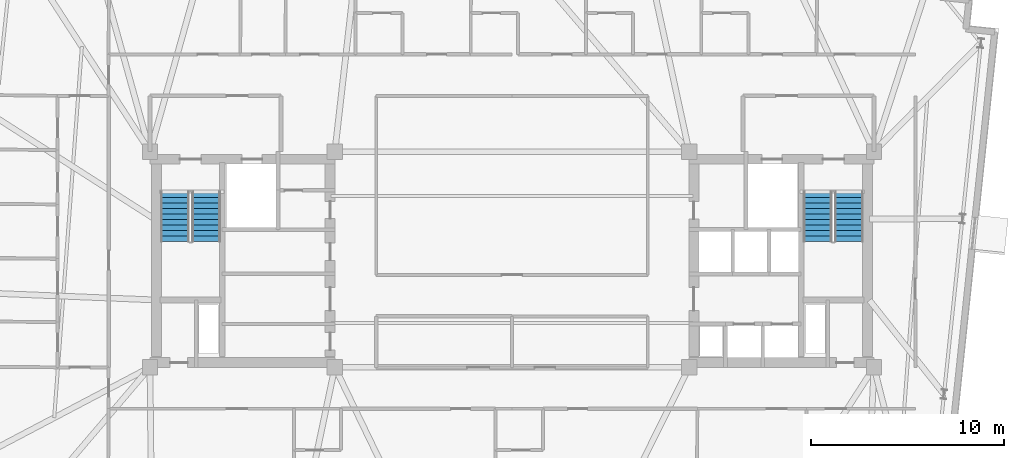
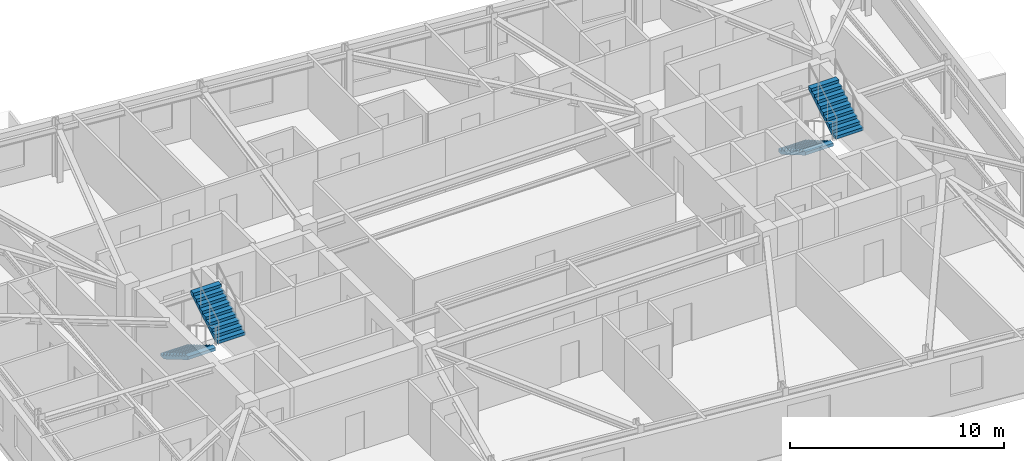
# One storey, part 10 of 12: 4 stair flights, 2 elements without a shape of their own.
"""IFC4 building model written with IfcOpenShell, lengths in metres."""

from ifc_helpers import new_model, si_unit, direction, frame, origin, place, context, subcontext, project, spatial, polyline, outline, extrude, material, type_object, element, aggregate, save


model = new_model("IFC4")

# Units and contexts
model_context = context("Model", 3, precision=1e-05, world=origin(), true_north=direction((0.0, 1.0)))
body_context = subcontext(model_context, "Body", "Model", "MODEL_VIEW")
ifc_project = project(units=[si_unit("LENGTHUNIT", "METRE"), si_unit("AREAUNIT", "SQUARE_METRE"), si_unit("VOLUMEUNIT", "CUBIC_METRE"), si_unit("PLANEANGLEUNIT", "RADIAN"), si_unit("MASSUNIT", "GRAM", prefix="KILO")], contexts=[model_context])

# Site, building, storey
site_placement = place(None, origin())
site = spatial("IfcSite", under=ifc_project, at=site_placement, CompositionType="ELEMENT")
building_placement = place(site_placement, origin())
building = spatial("IfcBuilding", under=site, at=building_placement, Name="Qobustan Lattice House", CompositionType="ELEMENT")
storey_placement = place(building_placement, frame((0.0, 0.0, 189.699951171875)))
storey = spatial("IfcBuildingStorey", under=building, at=storey_placement, Name="L53", CompositionType="ELEMENT", Elevation=189.699951171875)

# Stair, stair flights
ifc_material_1 = material(Name="Concrete C40/50", Category="concrete")
stair_type = type_object("IfcStairType", Name="STR-CORE-DOGLEG", PredefinedType="HALF_TURN_STAIR", material=ifc_material_1)
stair_1_placement = place(storey_placement, origin())
stair_1 = element("IfcStair", 1, at=stair_1_placement, inside=storey, type_object=stair_type, Name="L53 West protected exit stair ST-W1", PredefinedType="HALF_TURN_STAIR")
ifc_material_2 = material(Name="Concrete C40/50", Category="concrete")
stair_flight_type = type_object("IfcStairFlightType", Name="SFL-RC-1500", PredefinedType="STRAIGHT", material=ifc_material_2)
stair_flight_1_placement = place(storey_placement, frame((-17.5, 3.5, 0.0), z_axis=(0.0, 0.0, 1.0), x_axis=(0.0, -1.0, 0.0)))
stair_flight_1 = element("IfcStairFlight", 2, at=stair_flight_1_placement, type_object=stair_flight_type, Name="ST-W1 flight 1", NumberOfRisers=10, NumberOfTreads=9, PredefinedType="STRAIGHT", RiserHeight=0.1675, TreadLength=0.285, context=body_context, shape_type="SweptSolid", body=[
    extrude(outline(polyline([(0.0, 0.0), (0.0, 0.16748046875), (0.284912109375, 0.16748046875), (0.284912109375, 0.3349609375), (0.570068359375, 0.3349609375), (0.570068359375, 0.50244140625), (0.85498046875, 0.50244140625), (0.85498046875, 0.669921875), (1.139892578125, 0.669921875), (1.139892578125, 0.83740234375), (1.425048828125, 0.83740234375), (1.425048828125, 1.0048828125), (1.7099609375, 1.0048828125), (1.7099609375, 1.172607421875), (1.9951171875, 1.172607421875), (1.9951171875, 1.340087890625), (2.280029296875, 1.340087890625), (2.280029296875, 1.507568359375), (2.56494140625, 1.507568359375), (2.56494140625, 1.675048828125), (2.56494140625, 1.333740234375), (0.2958984375, 0.0), (0.0, 0.0)])), frame((0.0, 0.75, 0.0), z_axis=(0.0, -1.0, 0.0), x_axis=(1.0, 0.0, 0.0)), (0.0, 0.0, 1.0), 1.5),
])
stair_flight_2_placement = place(storey_placement, frame((-15.8798828125, 0.93505859375, 1.675048828125), z_axis=(0.0, 0.0, 1.0), x_axis=(0.0, 1.0, 0.0)))
stair_flight_2 = element("IfcStairFlight", 3, at=stair_flight_2_placement, type_object=stair_flight_type, Name="ST-W1 flight 2", NumberOfRisers=10, NumberOfTreads=9, PredefinedType="STRAIGHT", RiserHeight=0.1675, TreadLength=0.285, context=body_context, shape_type="SweptSolid", body=[
    extrude(outline(polyline([(0.0, 0.0), (0.0, 0.16748046875), (0.284912109375, 0.16748046875), (0.284912109375, 0.3349609375), (0.570068359375, 0.3349609375), (0.570068359375, 0.50244140625), (0.85498046875, 0.50244140625), (0.85498046875, 0.669921875), (1.139892578125, 0.669921875), (1.139892578125, 0.83740234375), (1.425048828125, 0.83740234375), (1.425048828125, 1.0048828125), (1.7099609375, 1.0048828125), (1.7099609375, 1.172607421875), (1.9951171875, 1.172607421875), (1.9951171875, 1.340087890625), (2.280029296875, 1.340087890625), (2.280029296875, 1.507568359375), (2.56494140625, 1.507568359375), (2.56494140625, 1.675048828125), (2.56494140625, 1.333740234375), (0.2958984375, 0.0), (0.0, 0.0)])), frame((0.0, 0.75, 0.0), z_axis=(0.0, -1.0, 0.0), x_axis=(1.0, 0.0, 0.0)), (0.0, 0.0, 1.0), 1.5),
])
aggregate(stair_1, [stair_flight_1, stair_flight_2])

stair_2_placement = place(storey_placement, origin())
stair_2 = element("IfcStair", 4, at=stair_2_placement, inside=storey, type_object=stair_type, Name="L53 East protected exit stair ST-E1", PredefinedType="HALF_TURN_STAIR")
stair_flight_3_placement = place(storey_placement, frame((15.8798828125, 3.5, 0.0), z_axis=(0.0, 0.0, 1.0), x_axis=(0.0, -1.0, 0.0)))
stair_flight_3 = element("IfcStairFlight", 5, at=stair_flight_3_placement, type_object=stair_flight_type, Name="ST-E1 flight 1", NumberOfRisers=10, NumberOfTreads=9, PredefinedType="STRAIGHT", RiserHeight=0.1675, TreadLength=0.285, context=body_context, shape_type="SweptSolid", body=[
    extrude(outline(polyline([(0.0, 0.0), (0.0, 0.16748046875), (0.284912109375, 0.16748046875), (0.284912109375, 0.3349609375), (0.570068359375, 0.3349609375), (0.570068359375, 0.50244140625), (0.85498046875, 0.50244140625), (0.85498046875, 0.669921875), (1.139892578125, 0.669921875), (1.139892578125, 0.83740234375), (1.425048828125, 0.83740234375), (1.425048828125, 1.0048828125), (1.7099609375, 1.0048828125), (1.7099609375, 1.172607421875), (1.9951171875, 1.172607421875), (1.9951171875, 1.340087890625), (2.280029296875, 1.340087890625), (2.280029296875, 1.507568359375), (2.56494140625, 1.507568359375), (2.56494140625, 1.675048828125), (2.56494140625, 1.333740234375), (0.2958984375, 0.0), (0.0, 0.0)])), frame((0.0, 0.75, 0.0), z_axis=(0.0, -1.0, 0.0), x_axis=(1.0, 0.0, 0.0)), (0.0, 0.0, 1.0), 1.5),
])
stair_flight_4_placement = place(storey_placement, frame((17.5, 0.93505859375, 1.675048828125), z_axis=(0.0, 0.0, 1.0), x_axis=(0.0, 1.0, 0.0)))
stair_flight_4 = element("IfcStairFlight", 6, at=stair_flight_4_placement, type_object=stair_flight_type, Name="ST-E1 flight 2", NumberOfRisers=10, NumberOfTreads=9, PredefinedType="STRAIGHT", RiserHeight=0.1675, TreadLength=0.285, context=body_context, shape_type="SweptSolid", body=[
    extrude(outline(polyline([(0.0, 0.0), (0.0, 0.16748046875), (0.284912109375, 0.16748046875), (0.284912109375, 0.3349609375), (0.570068359375, 0.3349609375), (0.570068359375, 0.50244140625), (0.85498046875, 0.50244140625), (0.85498046875, 0.669921875), (1.139892578125, 0.669921875), (1.139892578125, 0.83740234375), (1.425048828125, 0.83740234375), (1.425048828125, 1.0048828125), (1.7099609375, 1.0048828125), (1.7099609375, 1.172607421875), (1.9951171875, 1.172607421875), (1.9951171875, 1.340087890625), (2.280029296875, 1.340087890625), (2.280029296875, 1.507568359375), (2.56494140625, 1.507568359375), (2.56494140625, 1.675048828125), (2.56494140625, 1.333740234375), (0.2958984375, 0.0), (0.0, 0.0)])), frame((0.0, 0.75, 0.0), z_axis=(0.0, -1.0, 0.0), x_axis=(1.0, 0.0, 0.0)), (0.0, 0.0, 1.0), 1.5),
])
aggregate(stair_2, [stair_flight_3, stair_flight_4])

save(model, "model.ifc")
